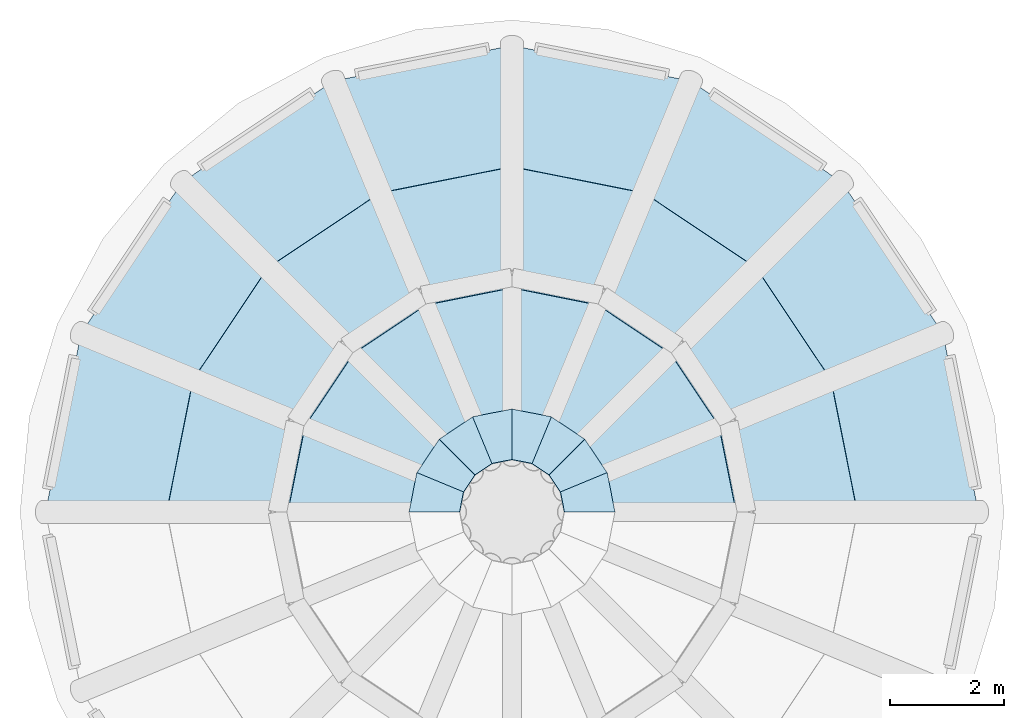
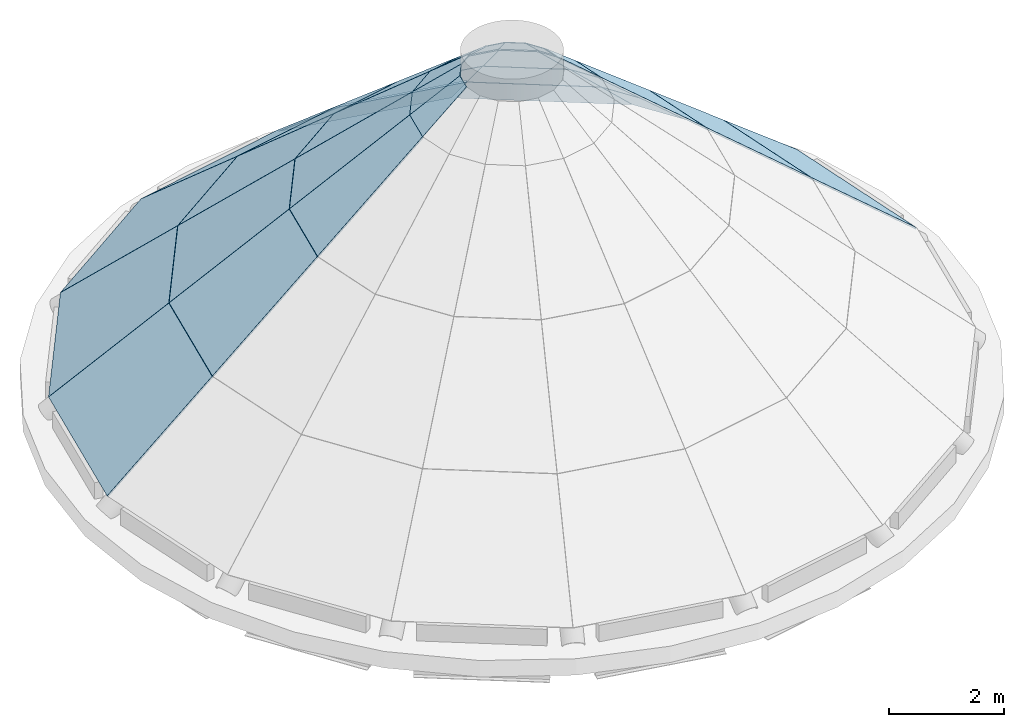
# One storey, part 3 of 3: 32 plates, 8 elements without a shape of their own.
"""IFC4 building model written with IfcOpenShell, lengths in metres."""

from ifc_helpers import new_model, si_unit, direction, frame, origin, place, context, subcontext, project, spatial, polyline, outline, extrude, material, layer, layer_set, type_object, element, aggregate, save


model = new_model("IFC4")

# Units and contexts
model_context = context("Model", 3, precision=1e-05, world=origin(), true_north=direction((0.0, 1.0)))
body_context = subcontext(model_context, "Body", "Model", "MODEL_VIEW")
ifc_project = project(units=[si_unit("LENGTHUNIT", "METRE"), si_unit("AREAUNIT", "SQUARE_METRE"), si_unit("VOLUMEUNIT", "CUBIC_METRE"), si_unit("PLANEANGLEUNIT", "RADIAN"), si_unit("MASSUNIT", "GRAM", prefix="KILO")], contexts=[model_context])

# Site, building, storey
site_placement = place(None, origin())
site = spatial("IfcSite", under=ifc_project, at=site_placement, CompositionType="ELEMENT")
building_placement = place(site_placement, origin())
building = spatial("IfcBuilding", under=site, at=building_placement, Name="Polderwave Tower", CompositionType="ELEMENT")
storey_placement = place(building_placement, frame((0.0, 0.0, 247.699951171875)))
storey = spatial("IfcBuildingStorey", under=building, at=storey_placement, Name="Roof crown", CompositionType="ELEMENT", Elevation=247.699951171875)

# Plates
ifc_material_1 = material(Name="Stainless steel 316", Category="steel")
ifc_layer_1 = layer(ifc_material_1, 0.011962890625)
ifc_layer_set_1 = layer_set([ifc_layer_1], Name="Apex cap panel")
plate_type_1 = type_object("IfcPlateType", Name="Apex cap panel", PredefinedType="SHEET", material=ifc_layer_set_1)
plate_1_placement = place(storey_placement, frame((1.800048828125, 0.0, 5.774169921875), z_axis=(0.643894284052, 0.127871963453, 0.754353307097), x_axis=(-0.194934789288, 0.980816196274, 0.000130580433)))
element("IfcPlate", 1, at=plate_1_placement, inside=storey, type_object=plate_type_1, Name="CROWN apex cap panel 1", PredefinedType="SHEET", context=body_context, shape_type="SweptSolid", body=[
    extrude(outline(polyline([(0.0, 0.0), (0.7022072525586862, -1.3877787807814457e-17), (0.5302839417233564, 1.1472057327220955), (0.1721416269319006, 1.1474166504998315), (0.0, 0.0)])), origin(), (0.0, 0.0, -1.0), 0.011962890625),
])
plate_2_placement = place(storey_placement, frame((1.6630859375, 0.688720703125, 5.774169921875), z_axis=(0.545838569118, 0.364900112393, 0.754260011162), x_axis=(-0.555751003754, 0.831348796646, -1.1848247e-05)))
element("IfcPlate", 2, at=plate_2_placement, inside=storey, type_object=plate_type_1, Name="CROWN apex cap panel 2", PredefinedType="SHEET", context=body_context, shape_type="SweptSolid", body=[
    extrude(outline(polyline([(0.0, 0.0), (0.7024492618607743, 2.7755575615628914e-17), (0.5305281406008179, 1.1471334559392674), (0.17253222967017123, 1.147114319663753), (0.0, 0.0)])), origin(), (0.0, 0.0, -1.0), 0.011962890625),
])
plate_3_placement = place(storey_placement, frame((1.272705078125, 1.272705078125, 5.774169921875), z_axis=(0.364900112393, 0.545838569118, 0.754260011162), x_axis=(-0.831348796646, 0.555751003754, 1.1848247e-05)))
element("IfcPlate", 3, at=plate_3_placement, inside=storey, type_object=plate_type_1, Name="CROWN apex cap panel 3", PredefinedType="SHEET", context=body_context, shape_type="SweptSolid", body=[
    extrude(outline(polyline([(0.0, 0.0), (0.7024492618607743, -2.7755575615628914e-17), (0.529917032190603, 1.1471143196637528), (0.1719211212599564, 1.1471334559392674), (0.0, 0.0)])), origin(), (0.0, 0.0, -1.0), 0.011962890625),
])
plate_4_placement = place(storey_placement, frame((0.688720703125, 1.6630859375, 5.774169921875), z_axis=(0.127871963453, 0.643894284052, 0.754353307097), x_axis=(-0.980816196274, 0.194934789288, -0.000130580433)))
element("IfcPlate", 4, at=plate_4_placement, inside=storey, type_object=plate_type_1, Name="CROWN apex cap panel 4", PredefinedType="SHEET", context=body_context, shape_type="SweptSolid", body=[
    extrude(outline(polyline([(0.0, 0.0), (0.7022072525586862, 1.3877787807814457e-17), (0.5300656256267856, 1.1474166504998318), (0.17192331083532977, 1.1472057327220955), (0.0, 0.0)])), origin(), (0.0, 0.0, -1.0), 0.011962890625),
])
plate_5_placement = place(storey_placement, frame((0.0, 1.800048828125, 5.774169921875), z_axis=(-0.127871963453, 0.643894284052, 0.754353307097), x_axis=(-0.980816196274, -0.194934789288, 0.000130580433)))
element("IfcPlate", 5, at=plate_5_placement, inside=storey, type_object=plate_type_1, Name="CROWN apex cap panel 5", PredefinedType="SHEET", context=body_context, shape_type="SweptSolid", body=[
    extrude(outline(polyline([(0.0, 0.0), (0.7022072525586862, -1.3877787807814457e-17), (0.5302839417233564, 1.1472057327220955), (0.1721416269319006, 1.1474166504998315), (0.0, 0.0)])), origin(), (0.0, 0.0, -1.0), 0.011962890625),
])
plate_6_placement = place(storey_placement, frame((-0.688720703125, 1.6630859375, 5.774169921875), z_axis=(-0.364900112393, 0.545838569118, 0.754260011162), x_axis=(-0.831348796646, -0.555751003754, -1.1848247e-05)))
element("IfcPlate", 6, at=plate_6_placement, inside=storey, type_object=plate_type_1, Name="CROWN apex cap panel 6", PredefinedType="SHEET", context=body_context, shape_type="SweptSolid", body=[
    extrude(outline(polyline([(0.0, 0.0), (0.7024492618607743, 2.7755575615628914e-17), (0.5305281406008179, 1.1471334559392674), (0.17253222967017123, 1.147114319663753), (0.0, 0.0)])), origin(), (0.0, 0.0, -1.0), 0.011962890625),
])
plate_7_placement = place(storey_placement, frame((-1.272705078125, 1.272705078125, 5.774169921875), z_axis=(-0.545838569118, 0.364900112393, 0.754260011162), x_axis=(-0.555751003754, -0.831348796646, 1.1848247e-05)))
element("IfcPlate", 7, at=plate_7_placement, inside=storey, type_object=plate_type_1, Name="CROWN apex cap panel 7", PredefinedType="SHEET", context=body_context, shape_type="SweptSolid", body=[
    extrude(outline(polyline([(0.0, 0.0), (0.7024492618607743, -2.7755575615628914e-17), (0.529917032190603, 1.1471143196637528), (0.1719211212599564, 1.1471334559392674), (0.0, 0.0)])), origin(), (0.0, 0.0, -1.0), 0.011962890625),
])
plate_8_placement = place(storey_placement, frame((-1.6630859375, 0.688720703125, 5.774169921875), z_axis=(-0.643894284052, 0.127871963453, 0.754353307097), x_axis=(-0.194934789288, -0.980816196274, -0.000130580433)))
element("IfcPlate", 8, at=plate_8_placement, inside=storey, type_object=plate_type_1, Name="CROWN apex cap panel 8", PredefinedType="SHEET", context=body_context, shape_type="SweptSolid", body=[
    extrude(outline(polyline([(0.0, 0.0), (0.7022072525586862, 1.3877787807814457e-17), (0.5300656256267856, 1.1474166504998318), (0.17192331083532977, 1.1472057327220955), (0.0, 0.0)])), origin(), (0.0, 0.0, -1.0), 0.011962890625),
])

# Curtain wall, plates
ifc_material_2 = material(Name="Aluminium 6063-T6 and glass", Category="aluminium")
curtain_wall_type = type_object("IfcCurtainWallType", Name="Glass point glazing wall", PredefinedType="NOTDEFINED", material=ifc_material_2)
curtain_wall_1_placement = place(storey_placement, origin())
curtain_wall_1 = element("IfcCurtainWall", 9, at=curtain_wall_1_placement, inside=storey, type_object=curtain_wall_type, Name="CROWN CW8 glass point facet 1", PredefinedType="NOTDEFINED")
ifc_material_3 = material(Name="Glass, low-e laminated double glazing", Category="glass")
ifc_layer_2 = layer(ifc_material_3, 0.031982421875)
ifc_layer_set_2 = layer_set([ifc_layer_2], Name="Glass point glazing glass panel 32 mm")
plate_type_2 = type_object("IfcPlateType", Name="Glass point glazing glass panel 32 mm", PredefinedType="CURTAIN_PANEL", material=ifc_layer_set_2)
plate_9_placement = place(storey_placement, frame((8.1533203125, 0.001953125, 0.35009765625), z_axis=(0.643929290228, 0.128066966968, 0.754290342745), x_axis=(-0.195073724191, 0.980788581725, 9.367563e-06)))
plate_9 = element("IfcPlate", 10, at=plate_9_placement, type_object=plate_type_2, Name="CROWN CW8 panel 1.1", PredefinedType="CURTAIN_PANEL", context=body_context, shape_type="SweptSolid", body=[
    extrude(outline(polyline([(0.0, 0.0), (3.177504499864002, 1.1102230246251565e-16), (2.764745592883499, 2.7506009778718745), (0.4126911894469328, 2.7506798739185885), (0.0, 0.0)])), origin(), (0.0, 0.0, -1.0), 0.031982421875),
])
plate_10_placement = place(storey_placement, frame((6.033203125, 0.001953125, 2.16015625), z_axis=(0.643906228697, 0.128078201045, 0.754308122097), x_axis=(-0.195092495486, 0.980784848056, 5.454089e-06)))
plate_10 = element("IfcPlate", 11, at=plate_10_placement, type_object=plate_type_2, Name="CROWN CW8 panel 1.2", PredefinedType="CURTAIN_PANEL", context=body_context, shape_type="SweptSolid", body=[
    extrude(outline(polyline([(0.0, 0.0), (2.3500911760290317, 1.1102230246251565e-16), (1.9379416569632635, 2.7477349452221067), (0.4122951516581505, 2.7477671431773425), (0.0, 0.0)])), origin(), (0.0, 0.0, -1.0), 0.031982421875),
])
plate_11_placement = place(storey_placement, frame((3.915283203125, 0.001953125, 3.968017578125), z_axis=(0.643931466803, 0.128093893934, 0.754283912329), x_axis=(-0.195118013872, 0.980779771641, 1.4223863e-05)))
plate_11 = element("IfcPlate", 12, at=plate_11_placement, type_object=plate_type_2, Name="CROWN CW8 panel 1.3", PredefinedType="CURTAIN_PANEL", context=body_context, shape_type="SweptSolid", body=[
    extrude(outline(polyline([(0.0, 0.0), (1.5239227301959921, 0.0), (1.1113139226862956, 2.750957253056691), (0.41284129305606, 2.751005400380949), (0.0, 0.0)])), origin(), (0.0, 0.0, -1.0), 0.031982421875),
])
aggregate(curtain_wall_1, [plate_9, plate_10, plate_11])

curtain_wall_2_placement = place(storey_placement, origin())
curtain_wall_2 = element("IfcCurtainWall", 13, at=curtain_wall_2_placement, inside=storey, type_object=curtain_wall_type, Name="CROWN CW8 glass point facet 2", PredefinedType="NOTDEFINED")
plate_12_placement = place(storey_placement, frame((7.531982421875, 3.1220703125, 0.35009765625), z_axis=(0.545872204247, 0.364755453563, 0.754305638138), x_axis=(-0.555596492597, 0.831452065547, 1.0614797e-05)))
plate_12 = element("IfcPlate", 14, at=plate_12_placement, type_object=plate_type_2, Name="CROWN CW8 panel 2.1", PredefinedType="CURTAIN_PANEL", context=body_context, shape_type="SweptSolid", body=[
    extrude(outline(polyline([(0.0, 0.0), (3.1774074802845726, -2.220446049250313e-16), (2.764788198593433, 2.7506693498540047), (0.4128635224691294, 2.7507587491638126), (0.0, 0.0)])), origin(), (0.0, 0.0, -1.0), 0.031982421875),
])
plate_13_placement = place(storey_placement, frame((5.572998046875, 2.310546875, 2.16015625), z_axis=(0.545920343288, 0.364691332357, 0.754301803582), x_axis=(-0.555488449524, 0.831524252462, 3.65575e-06)))
plate_13 = element("IfcPlate", 15, at=plate_13_placement, type_object=plate_type_2, Name="CROWN CW8 panel 2.2", PredefinedType="CURTAIN_PANEL", context=body_context, shape_type="SweptSolid", body=[
    extrude(outline(polyline([(0.0, 0.0), (2.3500285293722185, 1.1102230246251565e-16), (1.937734434354164, 2.747709871508267), (0.4121728073793075, 2.747731451993983), (0.0, 0.0)])), origin(), (0.0, 0.0, -1.0), 0.031982421875),
])
plate_14_placement = place(storey_placement, frame((3.616455078125, 1.5, 3.968017578125), z_axis=(0.545921772353, 0.364717294003, 0.754288216748), x_axis=(-0.55549143855, 0.831522255424, -2.0782828e-05)))
plate_14 = element("IfcPlate", 16, at=plate_14_placement, type_object=plate_type_2, Name="CROWN CW8 panel 2.3", PredefinedType="CURTAIN_PANEL", context=body_context, shape_type="SweptSolid", body=[
    extrude(outline(polyline([(0.0, 0.0), (1.5238011042735295, 0.0), (1.1107955873871136, 2.7510372130653513), (0.4125446549518927, 2.7509668741941415), (0.0, 0.0)])), origin(), (0.0, 0.0, -1.0), 0.031982421875),
])
aggregate(curtain_wall_2, [plate_12, plate_13, plate_14])

curtain_wall_3_placement = place(storey_placement, origin())
curtain_wall_3 = element("IfcCurtainWall", 17, at=curtain_wall_3_placement, inside=storey, type_object=curtain_wall_type, Name="CROWN CW8 glass point facet 3", PredefinedType="NOTDEFINED")
plate_15_placement = place(storey_placement, frame((5.763916015625, 5.7666015625, 0.35009765625), z_axis=(0.364755453563, 0.545872204247, 0.754305638138), x_axis=(-0.831452065547, 0.555596492597, -1.0614797e-05)))
plate_15 = element("IfcPlate", 18, at=plate_15_placement, type_object=plate_type_2, Name="CROWN CW8 panel 3.1", PredefinedType="CURTAIN_PANEL", context=body_context, shape_type="SweptSolid", body=[
    extrude(outline(polyline([(0.0, 0.0), (3.1774074802845726, 2.220446049250313e-16), (2.764543957815443, 2.7507587491638126), (0.4126192816911394, 2.7506693498540042), (0.0, 0.0)])), origin(), (0.0, 0.0, -1.0), 0.031982421875),
])
plate_16_placement = place(storey_placement, frame((4.2646484375, 4.267578125, 2.16015625), z_axis=(0.364691332357, 0.545920343288, 0.754301803582), x_axis=(-0.831524252462, 0.555488449524, -3.65575e-06)))
plate_16 = element("IfcPlate", 19, at=plate_16_placement, type_object=plate_type_2, Name="CROWN CW8 panel 3.2", PredefinedType="CURTAIN_PANEL", context=body_context, shape_type="SweptSolid", body=[
    extrude(outline(polyline([(0.0, 0.0), (2.3500285293722185, -1.1102230246251565e-16), (1.9378557219929111, 2.747731451993983), (0.41229409501805436, 2.747709871508267), (0.0, 0.0)])), origin(), (0.0, 0.0, -1.0), 0.031982421875),
])
plate_17_placement = place(storey_placement, frame((2.76708984375, 2.77001953125, 3.968017578125), z_axis=(0.364717294003, 0.545921772353, 0.754288216748), x_axis=(-0.831522255424, 0.55549143855, 2.0782828e-05)))
plate_17 = element("IfcPlate", 20, at=plate_17_placement, type_object=plate_type_2, Name="CROWN CW8 panel 3.3", PredefinedType="CURTAIN_PANEL", context=body_context, shape_type="SweptSolid", body=[
    extrude(outline(polyline([(0.0, 0.0), (1.5238011042735295, 0.0), (1.1112564493216368, 2.750966874194141), (0.4130055168864158, 2.7510372130653513), (0.0, 0.0)])), origin(), (0.0, 0.0, -1.0), 0.031982421875),
])
aggregate(curtain_wall_3, [plate_15, plate_16, plate_17])

curtain_wall_4_placement = place(storey_placement, origin())
curtain_wall_4 = element("IfcCurtainWall", 21, at=curtain_wall_4_placement, inside=storey, type_object=curtain_wall_type, Name="CROWN CW8 glass point facet 4", PredefinedType="NOTDEFINED")
plate_18_placement = place(storey_placement, frame((3.118408203125, 7.533447265625, 0.35009765625), z_axis=(0.128066966968, 0.643929290228, 0.754290342745), x_axis=(-0.980788581725, 0.195073724191, -9.367563e-06)))
plate_18 = element("IfcPlate", 22, at=plate_18_placement, type_object=plate_type_2, Name="CROWN CW8 panel 4.1", PredefinedType="CURTAIN_PANEL", context=body_context, shape_type="SweptSolid", body=[
    extrude(outline(polyline([(0.0, 0.0), (3.177504499864002, -1.1102230246251565e-16), (2.7648133104170696, 2.7506798739185885), (0.4127589069805032, 2.7506009778718745), (0.0, 0.0)])), origin(), (0.0, 0.0, -1.0), 0.031982421875),
])
plate_19_placement = place(storey_placement, frame((2.306884765625, 5.57470703125, 2.16015625), z_axis=(0.128078201045, 0.643906228697, 0.754308122097), x_axis=(-0.980784848056, 0.195092495486, -5.454089e-06)))
plate_19 = element("IfcPlate", 23, at=plate_19_placement, type_object=plate_type_2, Name="CROWN CW8 panel 4.2", PredefinedType="CURTAIN_PANEL", context=body_context, shape_type="SweptSolid", body=[
    extrude(outline(polyline([(0.0, 0.0), (2.3500911760290317, -1.1102230246251565e-16), (1.9377960243708814, 2.7477671431773425), (0.4121495190657682, 2.7477349452221063), (0.0, 0.0)])), origin(), (0.0, 0.0, -1.0), 0.031982421875),
])
plate_20_placement = place(storey_placement, frame((1.49658203125, 3.617919921875, 3.968017578125), z_axis=(0.128093893934, 0.643931466803, 0.754283912329), x_axis=(-0.980779771641, 0.195118013872, -1.4223863e-05)))
plate_20 = element("IfcPlate", 24, at=plate_20_placement, type_object=plate_type_2, Name="CROWN CW8 panel 4.3", PredefinedType="CURTAIN_PANEL", context=body_context, shape_type="SweptSolid", body=[
    extrude(outline(polyline([(0.0, 0.0), (1.5239227301959921, 0.0), (1.1110814371399322, 2.751005400380949), (0.4126088075096967, 2.750957253056691), (0.0, 0.0)])), origin(), (0.0, 0.0, -1.0), 0.031982421875),
])
aggregate(curtain_wall_4, [plate_18, plate_19, plate_20])

curtain_wall_5_placement = place(storey_placement, origin())
curtain_wall_5 = element("IfcCurtainWall", 25, at=curtain_wall_5_placement, inside=storey, type_object=curtain_wall_type, Name="CROWN CW8 glass point facet 5", PredefinedType="NOTDEFINED")
plate_21_placement = place(storey_placement, frame((-0.001953125, 8.1533203125, 0.35009765625), z_axis=(-0.128066966968, 0.643929290228, 0.754290342745), x_axis=(-0.980788581725, -0.195073724191, 9.367563e-06)))
plate_21 = element("IfcPlate", 26, at=plate_21_placement, type_object=plate_type_2, Name="CROWN CW8 panel 5.1", PredefinedType="CURTAIN_PANEL", context=body_context, shape_type="SweptSolid", body=[
    extrude(outline(polyline([(0.0, 0.0), (3.177504499864002, 1.1102230246251565e-16), (2.764745592883499, 2.7506009778718745), (0.4126911894469328, 2.7506798739185885), (0.0, 0.0)])), origin(), (0.0, 0.0, -1.0), 0.031982421875),
])
plate_22_placement = place(storey_placement, frame((-0.001953125, 6.033203125, 2.16015625), z_axis=(-0.128078201045, 0.643906228697, 0.754308122097), x_axis=(-0.980784848056, -0.195092495486, 5.454089e-06)))
plate_22 = element("IfcPlate", 27, at=plate_22_placement, type_object=plate_type_2, Name="CROWN CW8 panel 5.2", PredefinedType="CURTAIN_PANEL", context=body_context, shape_type="SweptSolid", body=[
    extrude(outline(polyline([(0.0, 0.0), (2.3500911760290317, 1.1102230246251565e-16), (1.9379416569632635, 2.7477349452221067), (0.4122951516581505, 2.7477671431773425), (0.0, 0.0)])), origin(), (0.0, 0.0, -1.0), 0.031982421875),
])
plate_23_placement = place(storey_placement, frame((-0.001953125, 3.915283203125, 3.968017578125), z_axis=(-0.128093893934, 0.643931466803, 0.754283912329), x_axis=(-0.980779771641, -0.195118013872, 1.4223863e-05)))
plate_23 = element("IfcPlate", 28, at=plate_23_placement, type_object=plate_type_2, Name="CROWN CW8 panel 5.3", PredefinedType="CURTAIN_PANEL", context=body_context, shape_type="SweptSolid", body=[
    extrude(outline(polyline([(0.0, 0.0), (1.5239227301959921, 0.0), (1.1113139226862956, 2.750957253056691), (0.41284129305606, 2.751005400380949), (0.0, 0.0)])), origin(), (0.0, 0.0, -1.0), 0.031982421875),
])
aggregate(curtain_wall_5, [plate_21, plate_22, plate_23])

curtain_wall_6_placement = place(storey_placement, origin())
curtain_wall_6 = element("IfcCurtainWall", 29, at=curtain_wall_6_placement, inside=storey, type_object=curtain_wall_type, Name="CROWN CW8 glass point facet 6", PredefinedType="NOTDEFINED")
plate_24_placement = place(storey_placement, frame((-3.1220703125, 7.531982421875, 0.35009765625), z_axis=(-0.364755453563, 0.545872204247, 0.754305638138), x_axis=(-0.831452065547, -0.555596492597, 1.0614797e-05)))
plate_24 = element("IfcPlate", 30, at=plate_24_placement, type_object=plate_type_2, Name="CROWN CW8 panel 6.1", PredefinedType="CURTAIN_PANEL", context=body_context, shape_type="SweptSolid", body=[
    extrude(outline(polyline([(0.0, 0.0), (3.1774074802845726, -2.220446049250313e-16), (2.764788198593433, 2.7506693498540047), (0.4128635224691294, 2.7507587491638126), (0.0, 0.0)])), origin(), (0.0, 0.0, -1.0), 0.031982421875),
])
plate_25_placement = place(storey_placement, frame((-2.310546875, 5.572998046875, 2.16015625), z_axis=(-0.364691332357, 0.545920343288, 0.754301803582), x_axis=(-0.831524252462, -0.555488449524, 3.65575e-06)))
plate_25 = element("IfcPlate", 31, at=plate_25_placement, type_object=plate_type_2, Name="CROWN CW8 panel 6.2", PredefinedType="CURTAIN_PANEL", context=body_context, shape_type="SweptSolid", body=[
    extrude(outline(polyline([(0.0, 0.0), (2.3500285293722185, 1.1102230246251565e-16), (1.937734434354164, 2.747709871508267), (0.4121728073793075, 2.747731451993983), (0.0, 0.0)])), origin(), (0.0, 0.0, -1.0), 0.031982421875),
])
plate_26_placement = place(storey_placement, frame((-1.5, 3.616455078125, 3.968017578125), z_axis=(-0.364717294003, 0.545921772353, 0.754288216748), x_axis=(-0.831522255424, -0.55549143855, -2.0782828e-05)))
plate_26 = element("IfcPlate", 32, at=plate_26_placement, type_object=plate_type_2, Name="CROWN CW8 panel 6.3", PredefinedType="CURTAIN_PANEL", context=body_context, shape_type="SweptSolid", body=[
    extrude(outline(polyline([(0.0, 0.0), (1.5238011042735295, 0.0), (1.1107955873871136, 2.7510372130653513), (0.4125446549518927, 2.7509668741941415), (0.0, 0.0)])), origin(), (0.0, 0.0, -1.0), 0.031982421875),
])
aggregate(curtain_wall_6, [plate_24, plate_25, plate_26])

curtain_wall_7_placement = place(storey_placement, origin())
curtain_wall_7 = element("IfcCurtainWall", 33, at=curtain_wall_7_placement, inside=storey, type_object=curtain_wall_type, Name="CROWN CW8 glass point facet 7", PredefinedType="NOTDEFINED")
plate_27_placement = place(storey_placement, frame((-5.7666015625, 5.763916015625, 0.35009765625), z_axis=(-0.545872204247, 0.364755453563, 0.754305638138), x_axis=(-0.555596492597, -0.831452065547, -1.0614797e-05)))
plate_27 = element("IfcPlate", 34, at=plate_27_placement, type_object=plate_type_2, Name="CROWN CW8 panel 7.1", PredefinedType="CURTAIN_PANEL", context=body_context, shape_type="SweptSolid", body=[
    extrude(outline(polyline([(0.0, 0.0), (3.1774074802845726, 2.220446049250313e-16), (2.764543957815443, 2.7507587491638126), (0.4126192816911394, 2.7506693498540042), (0.0, 0.0)])), origin(), (0.0, 0.0, -1.0), 0.031982421875),
])
plate_28_placement = place(storey_placement, frame((-4.267578125, 4.2646484375, 2.16015625), z_axis=(-0.545920343288, 0.364691332357, 0.754301803582), x_axis=(-0.555488449524, -0.831524252462, -3.65575e-06)))
plate_28 = element("IfcPlate", 35, at=plate_28_placement, type_object=plate_type_2, Name="CROWN CW8 panel 7.2", PredefinedType="CURTAIN_PANEL", context=body_context, shape_type="SweptSolid", body=[
    extrude(outline(polyline([(0.0, 0.0), (2.3500285293722185, -1.1102230246251565e-16), (1.9378557219929111, 2.747731451993983), (0.41229409501805436, 2.747709871508267), (0.0, 0.0)])), origin(), (0.0, 0.0, -1.0), 0.031982421875),
])
plate_29_placement = place(storey_placement, frame((-2.77001953125, 2.76708984375, 3.968017578125), z_axis=(-0.545921772353, 0.364717294003, 0.754288216748), x_axis=(-0.55549143855, -0.831522255424, 2.0782828e-05)))
plate_29 = element("IfcPlate", 36, at=plate_29_placement, type_object=plate_type_2, Name="CROWN CW8 panel 7.3", PredefinedType="CURTAIN_PANEL", context=body_context, shape_type="SweptSolid", body=[
    extrude(outline(polyline([(0.0, 0.0), (1.5238011042735295, 0.0), (1.1112564493216368, 2.750966874194141), (0.4130055168864158, 2.7510372130653513), (0.0, 0.0)])), origin(), (0.0, 0.0, -1.0), 0.031982421875),
])
aggregate(curtain_wall_7, [plate_27, plate_28, plate_29])

curtain_wall_8_placement = place(storey_placement, origin())
curtain_wall_8 = element("IfcCurtainWall", 37, at=curtain_wall_8_placement, inside=storey, type_object=curtain_wall_type, Name="CROWN CW8 glass point facet 8", PredefinedType="NOTDEFINED")
plate_30_placement = place(storey_placement, frame((-7.533447265625, 3.118408203125, 0.35009765625), z_axis=(-0.643929290228, 0.128066966968, 0.754290342745), x_axis=(-0.195073724191, -0.980788581725, -9.367563e-06)))
plate_30 = element("IfcPlate", 38, at=plate_30_placement, type_object=plate_type_2, Name="CROWN CW8 panel 8.1", PredefinedType="CURTAIN_PANEL", context=body_context, shape_type="SweptSolid", body=[
    extrude(outline(polyline([(0.0, 0.0), (3.177504499864002, -1.1102230246251565e-16), (2.7648133104170696, 2.7506798739185885), (0.4127589069805032, 2.7506009778718745), (0.0, 0.0)])), origin(), (0.0, 0.0, -1.0), 0.031982421875),
])
plate_31_placement = place(storey_placement, frame((-5.57470703125, 2.306884765625, 2.16015625), z_axis=(-0.643906228697, 0.128078201045, 0.754308122097), x_axis=(-0.195092495486, -0.980784848056, -5.454089e-06)))
plate_31 = element("IfcPlate", 39, at=plate_31_placement, type_object=plate_type_2, Name="CROWN CW8 panel 8.2", PredefinedType="CURTAIN_PANEL", context=body_context, shape_type="SweptSolid", body=[
    extrude(outline(polyline([(0.0, 0.0), (2.3500911760290317, -1.1102230246251565e-16), (1.9377960243708814, 2.7477671431773425), (0.4121495190657682, 2.7477349452221063), (0.0, 0.0)])), origin(), (0.0, 0.0, -1.0), 0.031982421875),
])
plate_32_placement = place(storey_placement, frame((-3.617919921875, 1.49658203125, 3.968017578125), z_axis=(-0.643931466803, 0.128093893934, 0.754283912329), x_axis=(-0.195118013872, -0.980779771641, -1.4223863e-05)))
plate_32 = element("IfcPlate", 40, at=plate_32_placement, type_object=plate_type_2, Name="CROWN CW8 panel 8.3", PredefinedType="CURTAIN_PANEL", context=body_context, shape_type="SweptSolid", body=[
    extrude(outline(polyline([(0.0, 0.0), (1.5239227301959921, 0.0), (1.1110814371399322, 2.751005400380949), (0.4126088075096967, 2.750957253056691), (0.0, 0.0)])), origin(), (0.0, 0.0, -1.0), 0.031982421875),
])
aggregate(curtain_wall_8, [plate_30, plate_31, plate_32])

save(model, "model.ifc")
